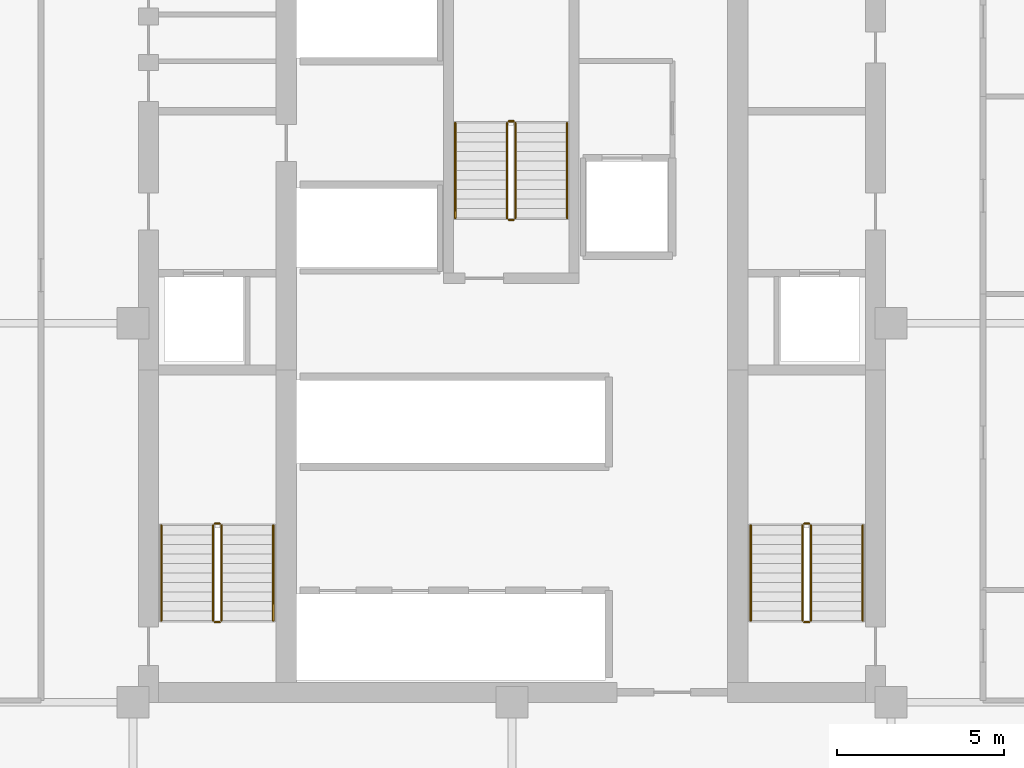
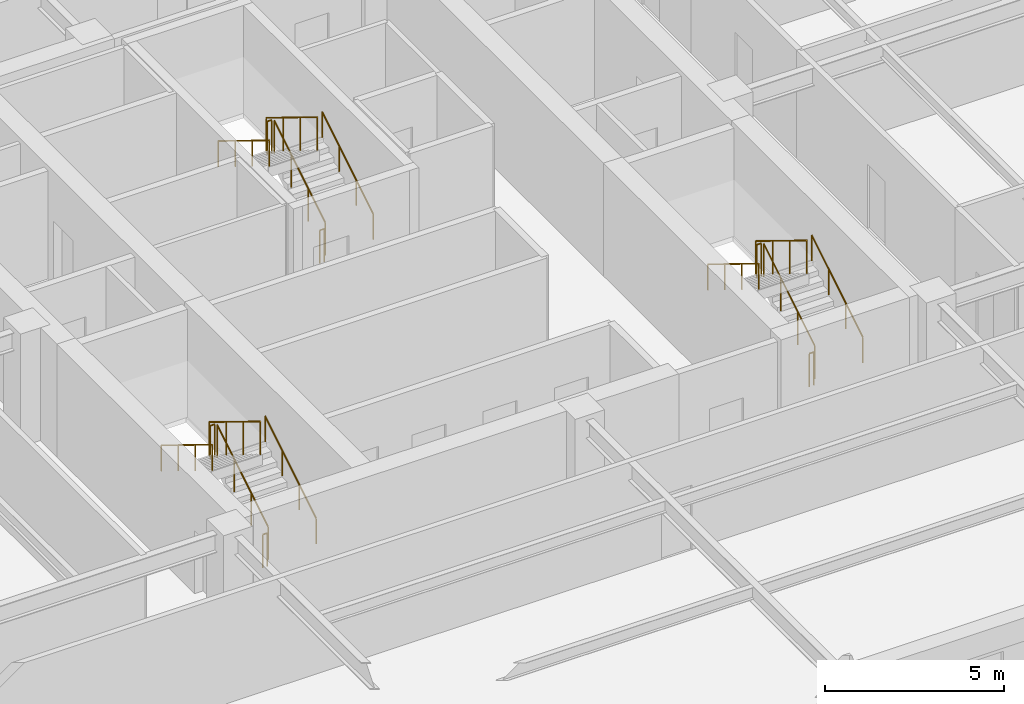
# One storey, part 6 of 6: 18 railings.
"""IFC4 building model written with IfcOpenShell, lengths in metres."""

from ifc_helpers import new_model, si_unit, direction, frame, origin, origin_2d, place, context, subcontext, project, spatial, circle, extrude, material, type_object, element, save


model = new_model("IFC4")

# Units and contexts
model_context = context("Model", 3, precision=1e-05, world=origin(), true_north=direction((0.0, 1.0)))
body_context = subcontext(model_context, "Body", "Model", "MODEL_VIEW")
ifc_project = project(units=[si_unit("LENGTHUNIT", "METRE"), si_unit("AREAUNIT", "SQUARE_METRE"), si_unit("VOLUMEUNIT", "CUBIC_METRE"), si_unit("PLANEANGLEUNIT", "RADIAN"), si_unit("MASSUNIT", "GRAM", prefix="KILO")], contexts=[model_context])

# Site, building, storey
site_placement = place(None, origin())
site = spatial("IfcSite", under=ifc_project, at=site_placement, CompositionType="ELEMENT")
building_placement = place(site_placement, origin())
building = spatial("IfcBuilding", under=site, at=building_placement, Name="Nhamokura Convention Tower", CompositionType="ELEMENT")
storey_placement = place(building_placement, frame((0.0, 0.0, 145.25)))
storey = spatial("IfcBuildingStorey", under=building, at=storey_placement, Name="L35", CompositionType="ELEMENT", Elevation=145.25)

# Railings
ifc_material_1 = material(Name="Anodised bronze stainless steel", Category="steel")
railing_type_1 = type_object("IfcRailingType", Name="StairWallHandrail_900", PredefinedType="HANDRAIL", material=ifc_material_1)
railing_1_placement = place(storey_placement, frame((24.85009765625, 23.10009765625, 0.175048828125)))
element("IfcRailing", 1, at=railing_1_placement, inside=storey, type_object=railing_type_1, Name="L35 ST-01 stair handrail 1", PredefinedType="HANDRAIL", context=body_context, shape_type="SweptSolid", body=[
    extrude(circle(Radius=0.02392578125, at=origin_2d()), frame((0.0, 0.0, 0.8759765625), z_axis=(0.0, 0.852159232446, 0.523282564737), x_axis=(-1.0, 0.0, 0.0)), (0.0, 0.0, 1.0), 3.34423828125),
    extrude(circle(Radius=0.02099609375, at=origin_2d()), origin(), (0.0, 0.0, 1.0), 0.851806640625),
    extrude(circle(Radius=0.02099609375, at=origin_2d()), frame((0.0, 0.949951171875, 0.583251953125)), (0.0, 0.0, 1.0), 0.851806640625),
    extrude(circle(Radius=0.02099609375, at=origin_2d()), frame((0.0, 1.89990234375, 1.166748046875)), (0.0, 0.0, 1.0), 0.851806640625),
    extrude(circle(Radius=0.02099609375, at=origin_2d()), frame((0.0, 2.849853515625, 1.75)), (0.0, 0.0, 1.0), 0.851806640625),
])
railing_2_placement = place(storey_placement, frame((21.5, 25.949951171875, 2.10009765625)))
element("IfcRailing", 2, at=railing_2_placement, inside=storey, type_object=railing_type_1, Name="L35 ST-01 stair handrail 2", PredefinedType="HANDRAIL", context=body_context, shape_type="SweptSolid", body=[
    extrude(circle(Radius=0.02392578125, at=origin_2d()), frame((0.0, 0.0, 0.8759765625), z_axis=(0.0, -0.852159232446, 0.523282564737), x_axis=(1.0, 0.0, 0.0)), (0.0, 0.0, 1.0), 3.34423828125),
    extrude(circle(Radius=0.02099609375, at=origin_2d()), origin(), (0.0, 0.0, 1.0), 0.851806640625),
    extrude(circle(Radius=0.02099609375, at=origin_2d()), frame((0.0, -0.949951171875, 0.583251953125)), (0.0, 0.0, 1.0), 0.851806640625),
    extrude(circle(Radius=0.02099609375, at=origin_2d()), frame((0.0, -1.89990234375, 1.166748046875)), (0.0, 0.0, 1.0), 0.851806640625),
    extrude(circle(Radius=0.02099609375, at=origin_2d()), frame((0.0, -2.849853515625, 1.75)), (0.0, 0.0, 1.0), 0.851806640625),
])
railing_3_placement = place(storey_placement, frame((42.5, 23.10009765625, 0.175048828125)))
element("IfcRailing", 3, at=railing_3_placement, inside=storey, type_object=railing_type_1, Name="L35 ST-02 stair handrail 1", PredefinedType="HANDRAIL", context=body_context, shape_type="SweptSolid", body=[
    extrude(circle(Radius=0.02392578125, at=origin_2d()), frame((0.0, 0.0, 0.8759765625), z_axis=(0.0, 0.852159232446, 0.523282564737), x_axis=(-1.0, 0.0, 0.0)), (0.0, 0.0, 1.0), 3.34423828125),
    extrude(circle(Radius=0.02099609375, at=origin_2d()), origin(), (0.0, 0.0, 1.0), 0.851806640625),
    extrude(circle(Radius=0.02099609375, at=origin_2d()), frame((0.0, 0.949951171875, 0.583251953125)), (0.0, 0.0, 1.0), 0.851806640625),
    extrude(circle(Radius=0.02099609375, at=origin_2d()), frame((0.0, 1.89990234375, 1.166748046875)), (0.0, 0.0, 1.0), 0.851806640625),
    extrude(circle(Radius=0.02099609375, at=origin_2d()), frame((0.0, 2.849853515625, 1.75)), (0.0, 0.0, 1.0), 0.851806640625),
])
railing_4_placement = place(storey_placement, frame((39.14990234375, 25.949951171875, 2.10009765625)))
element("IfcRailing", 4, at=railing_4_placement, inside=storey, type_object=railing_type_1, Name="L35 ST-02 stair handrail 2", PredefinedType="HANDRAIL", context=body_context, shape_type="SweptSolid", body=[
    extrude(circle(Radius=0.02392578125, at=origin_2d()), frame((0.0, 0.0, 0.8759765625), z_axis=(0.0, -0.852159232446, 0.523282564737), x_axis=(1.0, 0.0, 0.0)), (0.0, 0.0, 1.0), 3.34423828125),
    extrude(circle(Radius=0.02099609375, at=origin_2d()), origin(), (0.0, 0.0, 1.0), 0.851806640625),
    extrude(circle(Radius=0.02099609375, at=origin_2d()), frame((0.0, -0.949951171875, 0.583251953125)), (0.0, 0.0, 1.0), 0.851806640625),
    extrude(circle(Radius=0.02099609375, at=origin_2d()), frame((0.0, -1.89990234375, 1.166748046875)), (0.0, 0.0, 1.0), 0.851806640625),
    extrude(circle(Radius=0.02099609375, at=origin_2d()), frame((0.0, -2.849853515625, 1.75)), (0.0, 0.0, 1.0), 0.851806640625),
])
railing_5_placement = place(storey_placement, frame((33.64990234375, 35.14990234375, 0.175048828125)))
element("IfcRailing", 5, at=railing_5_placement, inside=storey, type_object=railing_type_1, Name="L35 ST-03 stair handrail 1", PredefinedType="HANDRAIL", context=body_context, shape_type="SweptSolid", body=[
    extrude(circle(Radius=0.02392578125, at=origin_2d()), frame((0.0, 0.0, 0.8759765625), z_axis=(0.0, 0.852179220489, 0.52325001306), x_axis=(-1.0, 0.0, 0.0)), (0.0, 0.0, 1.0), 3.344482421875),
    extrude(circle(Radius=0.02099609375, at=origin_2d()), origin(), (0.0, 0.0, 1.0), 0.851806640625),
    extrude(circle(Radius=0.02099609375, at=origin_2d()), frame((0.0, 0.949951171875, 0.583251953125)), (0.0, 0.0, 1.0), 0.851806640625),
    extrude(circle(Radius=0.02099609375, at=origin_2d()), frame((0.0, 1.900146484375, 1.166748046875)), (0.0, 0.0, 1.0), 0.851806640625),
    extrude(circle(Radius=0.02099609375, at=origin_2d()), frame((0.0, 2.85009765625, 1.75)), (0.0, 0.0, 1.0), 0.851806640625),
])
railing_6_placement = place(storey_placement, frame((30.300048828125, 38.0, 2.10009765625)))
element("IfcRailing", 6, at=railing_6_placement, inside=storey, type_object=railing_type_1, Name="L35 ST-03 stair handrail 2", PredefinedType="HANDRAIL", context=body_context, shape_type="SweptSolid", body=[
    extrude(circle(Radius=0.02392578125, at=origin_2d()), frame((0.0, 0.0, 0.8759765625), z_axis=(0.0, -0.852179220489, 0.52325001306), x_axis=(1.0, 0.0, 0.0)), (0.0, 0.0, 1.0), 3.344482421875),
    extrude(circle(Radius=0.02099609375, at=origin_2d()), origin(), (0.0, 0.0, 1.0), 0.851806640625),
    extrude(circle(Radius=0.02099609375, at=origin_2d()), frame((0.0, -0.949951171875, 0.583251953125)), (0.0, 0.0, 1.0), 0.851806640625),
    extrude(circle(Radius=0.02099609375, at=origin_2d()), frame((0.0, -1.900146484375, 1.166748046875)), (0.0, 0.0, 1.0), 0.851806640625),
    extrude(circle(Radius=0.02099609375, at=origin_2d()), frame((0.0, -2.85009765625, 1.75)), (0.0, 0.0, 1.0), 0.851806640625),
])
ifc_material_2 = material(Name="Painted tubular steel", Category="steel")
railing_type_2 = type_object("IfcRailingType", Name="StairWellGuardrail_1150", PredefinedType="GUARDRAIL", material=ifc_material_2)
railing_7_placement = place(storey_placement, frame((23.300048828125, 23.10009765625, 0.175048828125)))
element("IfcRailing", 7, at=railing_7_placement, inside=storey, type_object=railing_type_2, Name="L35 ST-01 stair guard 1", PredefinedType="GUARDRAIL", context=body_context, shape_type="SweptSolid", body=[
    extrude(circle(Radius=0.02392578125, at=origin_2d()), frame((0.0, 0.0, 1.1259765625), z_axis=(0.0, 0.852159232446, 0.523282564737), x_axis=(-1.0, 0.0, 0.0)), (0.0, 0.0, 1.0), 3.34423828125),
    extrude(circle(Radius=0.02099609375, at=origin_2d()), origin(), (0.0, 0.0, 1.0), 1.101806640625),
    extrude(circle(Radius=0.02099609375, at=origin_2d()), frame((0.0, 0.949951171875, 0.583251953125)), (0.0, 0.0, 1.0), 1.101806640625),
    extrude(circle(Radius=0.02099609375, at=origin_2d()), frame((0.0, 1.89990234375, 1.166748046875)), (0.0, 0.0, 1.0), 1.101806640625),
    extrude(circle(Radius=0.02099609375, at=origin_2d()), frame((0.0, 2.849853515625, 1.75)), (0.0, 0.0, 1.0), 1.101806640625),
])
railing_8_placement = place(storey_placement, frame((23.25, 26.0, 1.925048828125)))
element("IfcRailing", 8, at=railing_8_placement, inside=storey, type_object=railing_type_2, Name="L35 ST-01 stair guard 2", PredefinedType="GUARDRAIL", context=body_context, shape_type="SweptSolid", body=[
    extrude(circle(Radius=0.02392578125, at=origin_2d()), frame((0.0, 0.0, 1.1259765625), z_axis=(-1.0, 0.0, 0.0), x_axis=(0.0, -1.0, 0.0)), (0.0, 0.0, 1.0), 0.14990234375),
    extrude(circle(Radius=0.02099609375, at=origin_2d()), origin(), (0.0, 0.0, 1.0), 1.101806640625),
    extrude(circle(Radius=0.02099609375, at=origin_2d()), frame((-0.14990234375, 0.0, 0.0)), (0.0, 0.0, 1.0), 1.101806640625),
])
railing_9_placement = place(storey_placement, frame((23.050048828125, 25.949951171875, 2.10009765625)))
element("IfcRailing", 9, at=railing_9_placement, inside=storey, type_object=railing_type_2, Name="L35 ST-01 stair guard 3", PredefinedType="GUARDRAIL", context=body_context, shape_type="SweptSolid", body=[
    extrude(circle(Radius=0.02392578125, at=origin_2d()), frame((0.0, 0.0, 1.1259765625), z_axis=(0.0, -0.852159232446, 0.523282564737), x_axis=(1.0, 0.0, 0.0)), (0.0, 0.0, 1.0), 3.34423828125),
    extrude(circle(Radius=0.02099609375, at=origin_2d()), origin(), (0.0, 0.0, 1.0), 1.101806640625),
    extrude(circle(Radius=0.02099609375, at=origin_2d()), frame((0.0, -0.949951171875, 0.583251953125)), (0.0, 0.0, 1.0), 1.101806640625),
    extrude(circle(Radius=0.02099609375, at=origin_2d()), frame((0.0, -1.89990234375, 1.166748046875)), (0.0, 0.0, 1.0), 1.101806640625),
    extrude(circle(Radius=0.02099609375, at=origin_2d()), frame((0.0, -2.849853515625, 1.75)), (0.0, 0.0, 1.0), 1.101806640625),
])
railing_10_placement = place(storey_placement, frame((23.25, 23.050048828125, 0.0)))
element("IfcRailing", 10, at=railing_10_placement, inside=storey, type_object=railing_type_2, Name="L35 ST-01 stair guard 4", PredefinedType="GUARDRAIL", context=body_context, shape_type="SweptSolid", body=[
    extrude(circle(Radius=0.02392578125, at=origin_2d()), frame((0.0, 0.0, 1.1259765625), z_axis=(-1.0, 0.0, 0.0), x_axis=(0.0, -1.0, 0.0)), (0.0, 0.0, 1.0), 0.14990234375),
    extrude(circle(Radius=0.02099609375, at=origin_2d()), origin(), (0.0, 0.0, 1.0), 1.101806640625),
    extrude(circle(Radius=0.02099609375, at=origin_2d()), frame((-0.14990234375, 0.0, 0.0)), (0.0, 0.0, 1.0), 1.101806640625),
])
railing_11_placement = place(storey_placement, frame((40.949951171875, 23.10009765625, 0.175048828125)))
element("IfcRailing", 11, at=railing_11_placement, inside=storey, type_object=railing_type_2, Name="L35 ST-02 stair guard 1", PredefinedType="GUARDRAIL", context=body_context, shape_type="SweptSolid", body=[
    extrude(circle(Radius=0.02392578125, at=origin_2d()), frame((0.0, 0.0, 1.1259765625), z_axis=(0.0, 0.852159232446, 0.523282564737), x_axis=(-1.0, 0.0, 0.0)), (0.0, 0.0, 1.0), 3.34423828125),
    extrude(circle(Radius=0.02099609375, at=origin_2d()), origin(), (0.0, 0.0, 1.0), 1.101806640625),
    extrude(circle(Radius=0.02099609375, at=origin_2d()), frame((0.0, 0.949951171875, 0.583251953125)), (0.0, 0.0, 1.0), 1.101806640625),
    extrude(circle(Radius=0.02099609375, at=origin_2d()), frame((0.0, 1.89990234375, 1.166748046875)), (0.0, 0.0, 1.0), 1.101806640625),
    extrude(circle(Radius=0.02099609375, at=origin_2d()), frame((0.0, 2.849853515625, 1.75)), (0.0, 0.0, 1.0), 1.101806640625),
])
railing_12_placement = place(storey_placement, frame((40.89990234375, 26.0, 1.925048828125)))
element("IfcRailing", 12, at=railing_12_placement, inside=storey, type_object=railing_type_2, Name="L35 ST-02 stair guard 2", PredefinedType="GUARDRAIL", context=body_context, shape_type="SweptSolid", body=[
    extrude(circle(Radius=0.02392578125, at=origin_2d()), frame((0.0, 0.0, 1.1259765625), z_axis=(-1.0, 0.0, 0.0), x_axis=(0.0, -1.0, 0.0)), (0.0, 0.0, 1.0), 0.14990234375),
    extrude(circle(Radius=0.02099609375, at=origin_2d()), origin(), (0.0, 0.0, 1.0), 1.101806640625),
    extrude(circle(Radius=0.02099609375, at=origin_2d()), frame((-0.14990234375, 0.0, 0.0)), (0.0, 0.0, 1.0), 1.101806640625),
])
railing_13_placement = place(storey_placement, frame((40.699951171875, 25.949951171875, 2.10009765625)))
element("IfcRailing", 13, at=railing_13_placement, inside=storey, type_object=railing_type_2, Name="L35 ST-02 stair guard 3", PredefinedType="GUARDRAIL", context=body_context, shape_type="SweptSolid", body=[
    extrude(circle(Radius=0.02392578125, at=origin_2d()), frame((0.0, 0.0, 1.1259765625), z_axis=(0.0, -0.852159232446, 0.523282564737), x_axis=(1.0, 0.0, 0.0)), (0.0, 0.0, 1.0), 3.34423828125),
    extrude(circle(Radius=0.02099609375, at=origin_2d()), origin(), (0.0, 0.0, 1.0), 1.101806640625),
    extrude(circle(Radius=0.02099609375, at=origin_2d()), frame((0.0, -0.949951171875, 0.583251953125)), (0.0, 0.0, 1.0), 1.101806640625),
    extrude(circle(Radius=0.02099609375, at=origin_2d()), frame((0.0, -1.89990234375, 1.166748046875)), (0.0, 0.0, 1.0), 1.101806640625),
    extrude(circle(Radius=0.02099609375, at=origin_2d()), frame((0.0, -2.849853515625, 1.75)), (0.0, 0.0, 1.0), 1.101806640625),
])
railing_14_placement = place(storey_placement, frame((40.89990234375, 23.050048828125, 0.0)))
element("IfcRailing", 14, at=railing_14_placement, inside=storey, type_object=railing_type_2, Name="L35 ST-02 stair guard 4", PredefinedType="GUARDRAIL", context=body_context, shape_type="SweptSolid", body=[
    extrude(circle(Radius=0.02392578125, at=origin_2d()), frame((0.0, 0.0, 1.1259765625), z_axis=(-1.0, 0.0, 0.0), x_axis=(0.0, -1.0, 0.0)), (0.0, 0.0, 1.0), 0.14990234375),
    extrude(circle(Radius=0.02099609375, at=origin_2d()), origin(), (0.0, 0.0, 1.0), 1.101806640625),
    extrude(circle(Radius=0.02099609375, at=origin_2d()), frame((-0.14990234375, 0.0, 0.0)), (0.0, 0.0, 1.0), 1.101806640625),
])
railing_15_placement = place(storey_placement, frame((32.10009765625, 35.14990234375, 0.175048828125)))
element("IfcRailing", 15, at=railing_15_placement, inside=storey, type_object=railing_type_2, Name="L35 ST-03 stair guard 1", PredefinedType="GUARDRAIL", context=body_context, shape_type="SweptSolid", body=[
    extrude(circle(Radius=0.02392578125, at=origin_2d()), frame((0.0, 0.0, 1.1259765625), z_axis=(0.0, 0.852179220489, 0.52325001306), x_axis=(-1.0, 0.0, 0.0)), (0.0, 0.0, 1.0), 3.344482421875),
    extrude(circle(Radius=0.02099609375, at=origin_2d()), origin(), (0.0, 0.0, 1.0), 1.101806640625),
    extrude(circle(Radius=0.02099609375, at=origin_2d()), frame((0.0, 0.949951171875, 0.583251953125)), (0.0, 0.0, 1.0), 1.101806640625),
    extrude(circle(Radius=0.02099609375, at=origin_2d()), frame((0.0, 1.900146484375, 1.166748046875)), (0.0, 0.0, 1.0), 1.101806640625),
    extrude(circle(Radius=0.02099609375, at=origin_2d()), frame((0.0, 2.85009765625, 1.75)), (0.0, 0.0, 1.0), 1.101806640625),
])
railing_16_placement = place(storey_placement, frame((32.050048828125, 38.050048828125, 1.925048828125)))
element("IfcRailing", 16, at=railing_16_placement, inside=storey, type_object=railing_type_2, Name="L35 ST-03 stair guard 2", PredefinedType="GUARDRAIL", context=body_context, shape_type="SweptSolid", body=[
    extrude(circle(Radius=0.02392578125, at=origin_2d()), frame((0.0, 0.0, 1.1259765625), z_axis=(-1.0, 0.0, 0.0), x_axis=(0.0, -1.0, 0.0)), (0.0, 0.0, 1.0), 0.150146484375),
    extrude(circle(Radius=0.02099609375, at=origin_2d()), origin(), (0.0, 0.0, 1.0), 1.101806640625),
    extrude(circle(Radius=0.02099609375, at=origin_2d()), frame((-0.150146484375, 0.0, 0.0)), (0.0, 0.0, 1.0), 1.101806640625),
])
railing_17_placement = place(storey_placement, frame((31.85009765625, 38.0, 2.10009765625)))
element("IfcRailing", 17, at=railing_17_placement, inside=storey, type_object=railing_type_2, Name="L35 ST-03 stair guard 3", PredefinedType="GUARDRAIL", context=body_context, shape_type="SweptSolid", body=[
    extrude(circle(Radius=0.02392578125, at=origin_2d()), frame((0.0, 0.0, 1.1259765625), z_axis=(0.0, -0.852179220489, 0.52325001306), x_axis=(1.0, 0.0, 0.0)), (0.0, 0.0, 1.0), 3.344482421875),
    extrude(circle(Radius=0.02099609375, at=origin_2d()), origin(), (0.0, 0.0, 1.0), 1.101806640625),
    extrude(circle(Radius=0.02099609375, at=origin_2d()), frame((0.0, -0.949951171875, 0.583251953125)), (0.0, 0.0, 1.0), 1.101806640625),
    extrude(circle(Radius=0.02099609375, at=origin_2d()), frame((0.0, -1.900146484375, 1.166748046875)), (0.0, 0.0, 1.0), 1.101806640625),
    extrude(circle(Radius=0.02099609375, at=origin_2d()), frame((0.0, -2.85009765625, 1.75)), (0.0, 0.0, 1.0), 1.101806640625),
])
railing_18_placement = place(storey_placement, frame((32.050048828125, 35.10009765625, 0.0)))
element("IfcRailing", 18, at=railing_18_placement, inside=storey, type_object=railing_type_2, Name="L35 ST-03 stair guard 4", PredefinedType="GUARDRAIL", context=body_context, shape_type="SweptSolid", body=[
    extrude(circle(Radius=0.02392578125, at=origin_2d()), frame((0.0, 0.0, 1.1259765625), z_axis=(-1.0, 0.0, 0.0), x_axis=(0.0, -1.0, 0.0)), (0.0, 0.0, 1.0), 0.150146484375),
    extrude(circle(Radius=0.02099609375, at=origin_2d()), origin(), (0.0, 0.0, 1.0), 1.101806640625),
    extrude(circle(Radius=0.02099609375, at=origin_2d()), frame((-0.150146484375, 0.0, 0.0)), (0.0, 0.0, 1.0), 1.101806640625),
])

save(model, "model.ifc")
